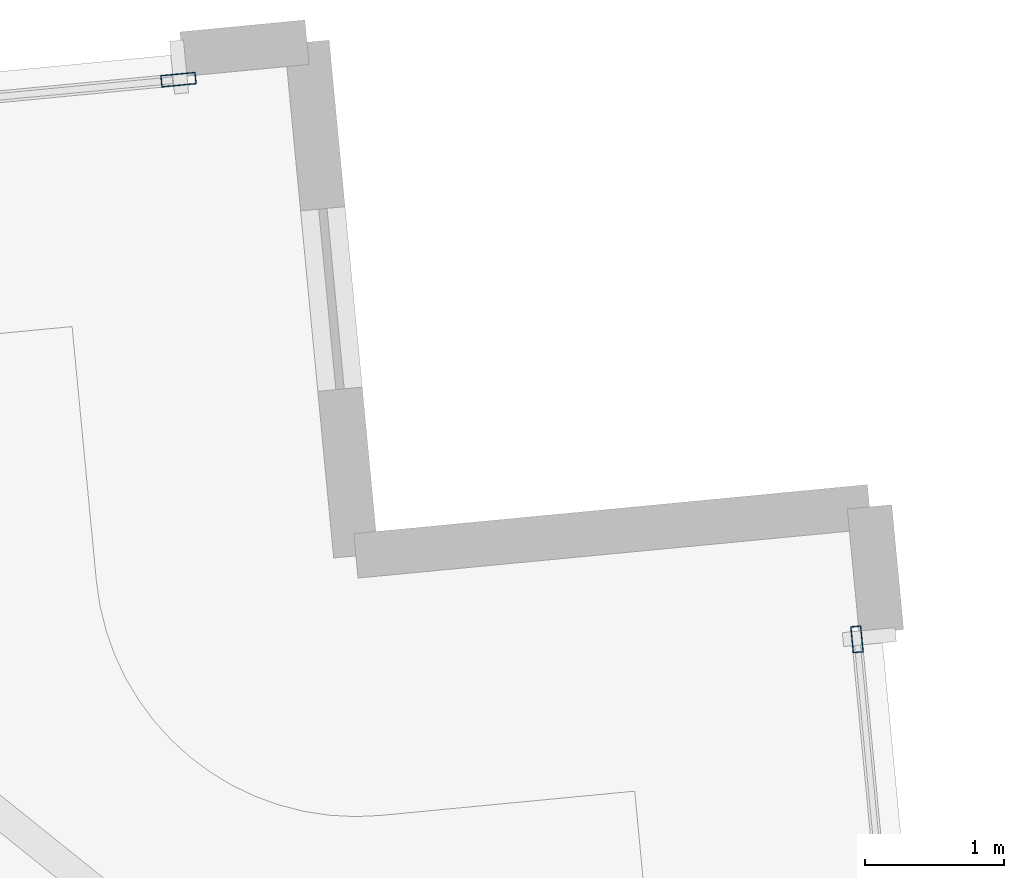
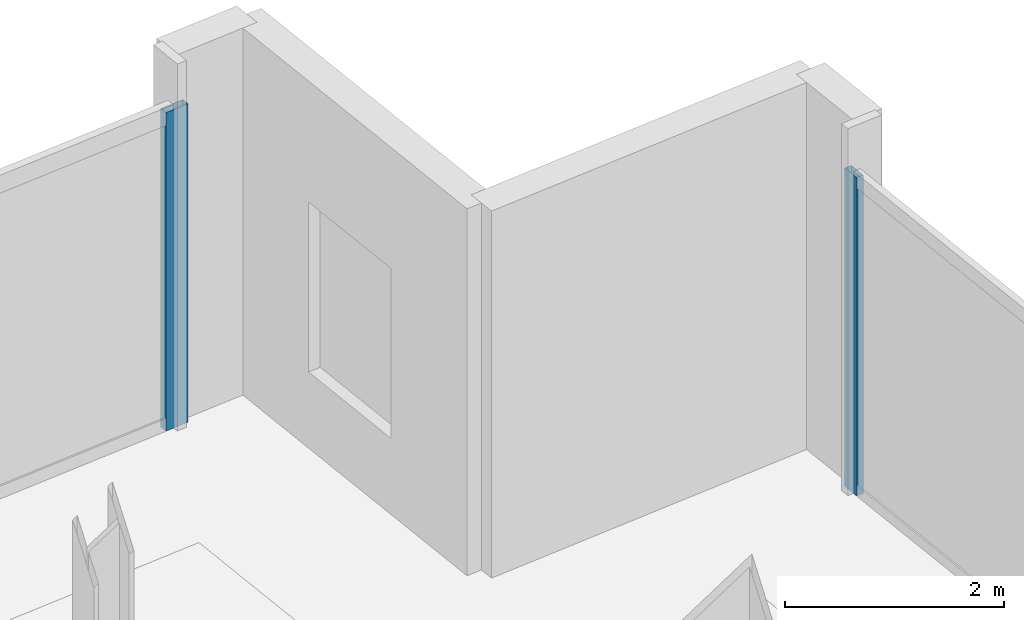
# One storey, part 16 of 24: 2 members, 2 elements without a shape of their own.
"""IFC4 building model written with IfcOpenShell, lengths in metres."""

from ifc_helpers import new_model, si_unit, direction, frame, origin, origin_2d, place, context, subcontext, project, spatial, hollow_rectangle, extrude, material, material_profile, profile_set, type_object, element, aggregate, save


model = new_model("IFC4")

# Units and contexts
model_context = context("Model", 3, precision=1e-05, world=origin(), true_north=direction((0.0, 1.0)))
body_context = subcontext(model_context, "Body", "Model", "MODEL_VIEW")
ifc_project = project(units=[si_unit("LENGTHUNIT", "METRE"), si_unit("AREAUNIT", "SQUARE_METRE"), si_unit("VOLUMEUNIT", "CUBIC_METRE"), si_unit("PLANEANGLEUNIT", "RADIAN"), si_unit("MASSUNIT", "GRAM", prefix="KILO")], contexts=[model_context])

# Site, building, storey
site_placement = place(None, origin())
site = spatial("IfcSite", under=ifc_project, at=site_placement, CompositionType="ELEMENT")
building_placement = place(site_placement, origin())
building = spatial("IfcBuilding", under=site, at=building_placement, Name="Haldenkirk Collegiate Tower", CompositionType="ELEMENT")
storey_placement = place(building_placement, frame((0.0, 0.0, 347.699951171875)))
storey = spatial("IfcBuildingStorey", under=building, at=storey_placement, Name="L88", CompositionType="ELEMENT", Elevation=347.699951171875)

# Curtain wall, member
ifc_material = material(Name="Anodised architectural bronze aluminium", Category="aluminium")
curtain_wall_type_1 = type_object("IfcCurtainWallType", Name="CW-SYS2-CONCAVE", PredefinedType="USERDEFINED", material=ifc_material)
curtain_wall_1_placement = place(storey_placement, origin())
curtain_wall_1 = element("IfcCurtainWall", 1, at=curtain_wall_1_placement, inside=storey, type_object=curtain_wall_type_1, Name="L88 South concave recessed bronze-anodised curtain wall", ObjectType="UNITISED CURTAIN WALL", PredefinedType="USERDEFINED")
ifc_material_profile_1 = material_profile(ifc_material, hollow_rectangle(XDim=0.074951171875, YDim=0.18994140625, WallThickness=0.0048828125, at=origin_2d()), Name="CW-MUL-02")
ifc_profile_set_1 = profile_set([ifc_material_profile_1], Name="Anodised architectural bronze aluminium")
member_type_1 = type_object("IfcMemberType", Name="CW-MUL-02", PredefinedType="MULLION", material=ifc_profile_set_1)
member_1_placement = place(storey_placement, frame((56.173095703125, 45.6171875, 0.0), z_axis=(0.0, 0.0, 1.0), x_axis=(0.995479722207, 0.094974326396, 0.0)))
member_1 = element("IfcMember", 2, at=member_1_placement, type_object=member_type_1, Name="CW-02 mullion 1", PredefinedType="MULLION", context=body_context, shape_type="SweptSolid", body=[
    extrude(hollow_rectangle(XDim=0.074951171875, YDim=0.18994140625, WallThickness=0.0048828125, at=origin_2d()), origin(), (0.0, 0.0, 1.0), 3.55810546875),
])
aggregate(curtain_wall_1, [member_1])

curtain_wall_type_2 = type_object("IfcCurtainWallType", Name="CW-SYS1B-CONVEX-HI", PredefinedType="USERDEFINED", material=ifc_material)
curtain_wall_2_placement = place(storey_placement, origin())
curtain_wall_2 = element("IfcCurtainWall", 3, at=curtain_wall_2_placement, inside=storey, type_object=curtain_wall_type_2, Name="L88 Upper tower high-wind convex bronze unitised curtain wall", ObjectType="UNITISED CURTAIN WALL", PredefinedType="USERDEFINED")
ifc_material_profile_2 = material_profile(ifc_material, hollow_rectangle(XDim=0.0849609375, YDim=0.25, WallThickness=0.0048828125, at=origin_2d()), Name="CW-MUL-1B")
ifc_profile_set_2 = profile_set([ifc_material_profile_2], Name="Anodised architectural bronze aluminium")
member_type_2 = type_object("IfcMemberType", Name="CW-MUL-1B", PredefinedType="MULLION", material=ifc_profile_set_2)
member_2_placement = place(storey_placement, frame((51.307373046875, 49.630615234375, 0.0), z_axis=(0.0, 0.0, 1.0), x_axis=(-0.094976204743, 0.995479543001, 0.0)))
member_2 = element("IfcMember", 4, at=member_2_placement, type_object=member_type_2, Name="CW-1B mullion 4", PredefinedType="MULLION", context=body_context, shape_type="SweptSolid", body=[
    extrude(hollow_rectangle(XDim=0.0849609375, YDim=0.25, WallThickness=0.0048828125, at=origin_2d()), origin(), (0.0, 0.0, 1.0), 3.55810546875),
])
aggregate(curtain_wall_2, [member_2])

save(model, "model.ifc")
